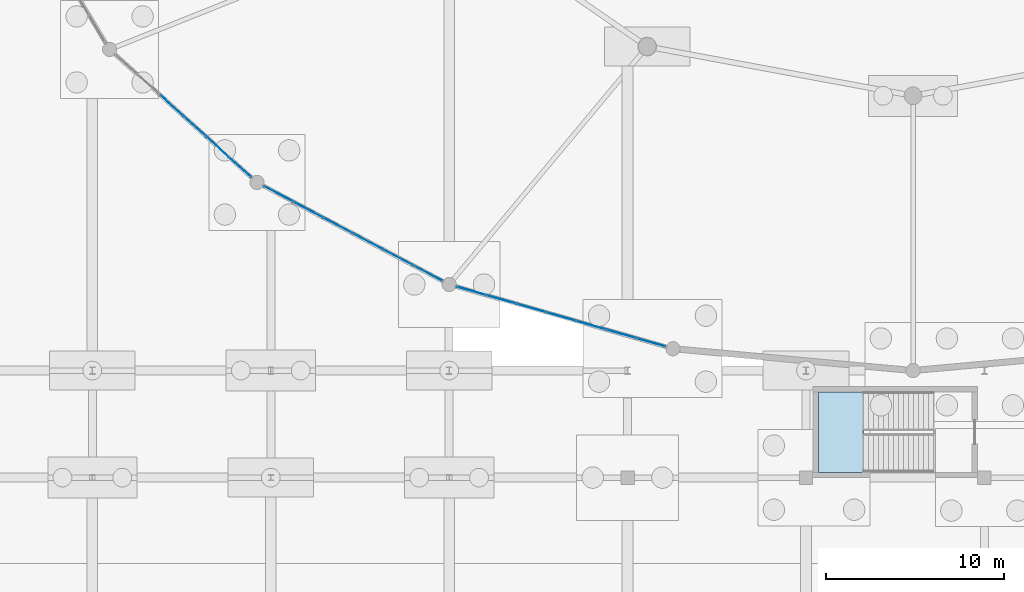
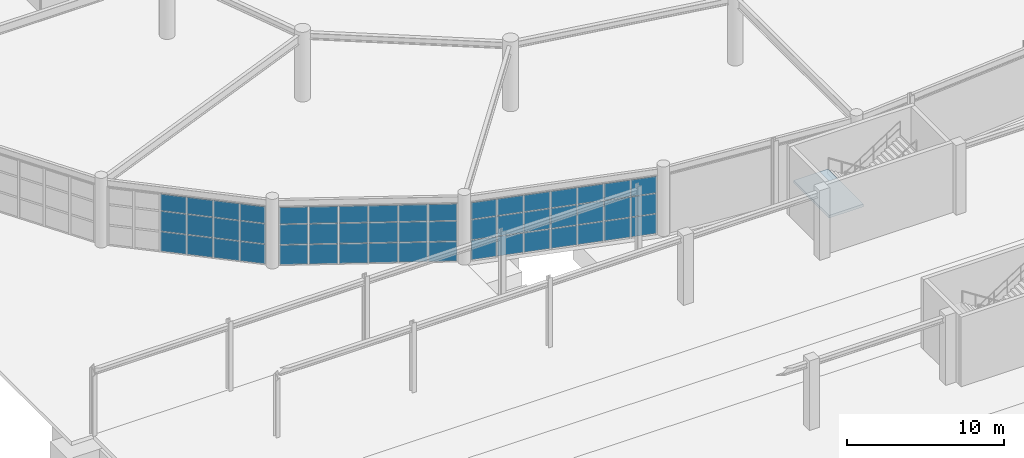
# One storey, part 64 of 99: 51 plates, 1 slab, 4 elements without a shape of their own.
"""IFC4 building model written with IfcOpenShell, lengths in metres."""

from ifc_helpers import new_model, si_unit, direction, frame, origin, origin_2d, place, context, subcontext, project, spatial, polyline, rectangle, outline, extrude, material, layer, layer_set, type_object, element, aggregate, save


model = new_model("IFC4")

# Units and contexts
model_context = context("Model", 3, precision=1e-05, world=origin(), true_north=direction((0.0, 1.0)))
body_context = subcontext(model_context, "Body", "Model", "MODEL_VIEW")
ifc_project = project(units=[si_unit("LENGTHUNIT", "METRE"), si_unit("AREAUNIT", "SQUARE_METRE"), si_unit("VOLUMEUNIT", "CUBIC_METRE"), si_unit("PLANEANGLEUNIT", "RADIAN"), si_unit("MASSUNIT", "GRAM", prefix="KILO")], contexts=[model_context])

# Site, building, storey
site_placement = place(None, origin())
site = spatial("IfcSite", under=ifc_project, at=site_placement, CompositionType="ELEMENT")
building_placement = place(site_placement, origin())
building = spatial("IfcBuilding", under=site, at=building_placement, Name="Kivolera Central Railway Station", CompositionType="ELEMENT")
storey_placement = place(building_placement, origin())
storey = spatial("IfcBuildingStorey", under=building, at=storey_placement, Name="L00", CompositionType="ELEMENT", Elevation=0.0)

# Curtain wall, plates
ifc_material_1 = material(Name="Anodised aluminium", Category="aluminium")
ifc_layer_1 = layer(ifc_material_1, 0.179931640625, Name="Anodised aluminium")
ifc_layer_set_1 = layer_set([ifc_layer_1], Name="Anodised aluminium")
curtain_wall_type_1 = type_object("IfcCurtainWallType", Name="CW-SYS-07", PredefinedType="NOTDEFINED", material=ifc_layer_set_1)
curtain_wall_1_placement = place(storey_placement, origin())
curtain_wall_1 = element("IfcCurtainWall", 1, at=curtain_wall_1_placement, inside=storey, type_object=curtain_wall_type_1, Name="L00 Curtain Wall CW-L00-OVL-15", PredefinedType="NOTDEFINED")
ifc_material_2 = material(Name="Double low-E laminated glass", Category="glass")
ifc_layer_2 = layer(ifc_material_2, 0.02587890625, Name="Double low-E laminated glass")
ifc_layer_set_2 = layer_set([ifc_layer_2], Name="Double low-E laminated glass")
plate_type_1 = type_object("IfcPlateType", Name="CWP-GLZ-1", PredefinedType="CURTAIN_PANEL", material=ifc_layer_set_2)
plate_1_placement = place(storey_placement, frame((36.79296875, 59.464599609375, 0.05810546875), z_axis=(0.0, 0.0, 1.0), x_axis=(-0.883170250772, 0.46905256438, 0.0)))
plate_1 = element("IfcPlate", 2, at=plate_1_placement, type_object=plate_type_1, Name="CW-07 panel 1.1", PredefinedType="CURTAIN_PANEL", context=body_context, shape_type="SweptSolid", body=[
    extrude(rectangle(XDim=1.818115234375, YDim=0.02587890625, at=origin_2d()), origin(), (0.0, 0.0, 1.0), 1.511474609375),
])
plate_2_placement = place(storey_placement, frame((36.79296875, 59.464599609375, 1.615478515625), z_axis=(0.0, 0.0, 1.0), x_axis=(-0.883170250772, 0.46905256438, 0.0)))
plate_2 = element("IfcPlate", 3, at=plate_2_placement, type_object=plate_type_1, Name="CW-07 panel 1.2", PredefinedType="CURTAIN_PANEL", context=body_context, shape_type="SweptSolid", body=[
    extrude(rectangle(XDim=1.818115234375, YDim=0.02587890625, at=origin_2d()), origin(), (0.0, 0.0, 1.0), 1.54638671875),
])
plate_3_placement = place(storey_placement, frame((36.79296875, 59.464599609375, 3.2080078125), z_axis=(0.0, 0.0, 1.0), x_axis=(-0.883170250772, 0.46905256438, 0.0)))
plate_3 = element("IfcPlate", 4, at=plate_3_placement, type_object=plate_type_1, Name="CW-07 panel 1.3", PredefinedType="CURTAIN_PANEL", context=body_context, shape_type="SweptSolid", body=[
    extrude(rectangle(XDim=1.818115234375, YDim=0.02587890625, at=origin_2d()), origin(), (0.0, 0.0, 1.0), 1.283935546875),
])
plate_4_placement = place(storey_placement, frame((35.131103515625, 60.34716796875, 0.05810546875), z_axis=(0.0, 0.0, 1.0), x_axis=(-0.883170250772, 0.46905256438, 0.0)))
plate_4 = element("IfcPlate", 5, at=plate_4_placement, type_object=plate_type_1, Name="CW-07 panel 2.1", PredefinedType="CURTAIN_PANEL", context=body_context, shape_type="SweptSolid", body=[
    extrude(rectangle(XDim=1.853271484375, YDim=0.02587890625, at=origin_2d()), origin(), (0.0, 0.0, 1.0), 1.511474609375),
])
plate_5_placement = place(storey_placement, frame((35.131103515625, 60.34716796875, 1.615478515625), z_axis=(0.0, 0.0, 1.0), x_axis=(-0.883170250772, 0.46905256438, 0.0)))
plate_5 = element("IfcPlate", 6, at=plate_5_placement, type_object=plate_type_1, Name="CW-07 panel 2.2", PredefinedType="CURTAIN_PANEL", context=body_context, shape_type="SweptSolid", body=[
    extrude(rectangle(XDim=1.853271484375, YDim=0.02587890625, at=origin_2d()), origin(), (0.0, 0.0, 1.0), 1.54638671875),
])
plate_6_placement = place(storey_placement, frame((35.131103515625, 60.34716796875, 3.2080078125), z_axis=(0.0, 0.0, 1.0), x_axis=(-0.883170250772, 0.46905256438, 0.0)))
plate_6 = element("IfcPlate", 7, at=plate_6_placement, type_object=plate_type_1, Name="CW-07 panel 2.3", PredefinedType="CURTAIN_PANEL", context=body_context, shape_type="SweptSolid", body=[
    extrude(rectangle(XDim=1.853271484375, YDim=0.02587890625, at=origin_2d()), origin(), (0.0, 0.0, 1.0), 1.283935546875),
])
plate_7_placement = place(storey_placement, frame((33.45361328125, 61.238037109375, 0.05810546875), z_axis=(0.0, 0.0, 1.0), x_axis=(-0.883170250772, 0.46905256438, 0.0)))
plate_7 = element("IfcPlate", 8, at=plate_7_placement, type_object=plate_type_1, Name="CW-07 panel 3.1", PredefinedType="CURTAIN_PANEL", context=body_context, shape_type="SweptSolid", body=[
    extrude(rectangle(XDim=1.853271484375, YDim=0.02587890625, at=origin_2d()), origin(), (0.0, 0.0, 1.0), 1.511474609375),
])
plate_8_placement = place(storey_placement, frame((33.45361328125, 61.238037109375, 1.615478515625), z_axis=(0.0, 0.0, 1.0), x_axis=(-0.883170250772, 0.46905256438, 0.0)))
plate_8 = element("IfcPlate", 9, at=plate_8_placement, type_object=plate_type_1, Name="CW-07 panel 3.2", PredefinedType="CURTAIN_PANEL", context=body_context, shape_type="SweptSolid", body=[
    extrude(rectangle(XDim=1.853271484375, YDim=0.02587890625, at=origin_2d()), origin(), (0.0, 0.0, 1.0), 1.54638671875),
])
plate_9_placement = place(storey_placement, frame((33.45361328125, 61.238037109375, 3.2080078125), z_axis=(0.0, 0.0, 1.0), x_axis=(-0.883170250772, 0.46905256438, 0.0)))
plate_9 = element("IfcPlate", 10, at=plate_9_placement, type_object=plate_type_1, Name="CW-07 panel 3.3", PredefinedType="CURTAIN_PANEL", context=body_context, shape_type="SweptSolid", body=[
    extrude(rectangle(XDim=1.853271484375, YDim=0.02587890625, at=origin_2d()), origin(), (0.0, 0.0, 1.0), 1.283935546875),
])
plate_10_placement = place(storey_placement, frame((31.7763671875, 62.12890625, 0.05810546875), z_axis=(0.0, 0.0, 1.0), x_axis=(-0.883170250772, 0.46905256438, 0.0)))
plate_10 = element("IfcPlate", 11, at=plate_10_placement, type_object=plate_type_1, Name="CW-07 panel 4.1", PredefinedType="CURTAIN_PANEL", context=body_context, shape_type="SweptSolid", body=[
    extrude(rectangle(XDim=1.853271484375, YDim=0.02587890625, at=origin_2d()), origin(), (0.0, 0.0, 1.0), 1.511474609375),
])
plate_11_placement = place(storey_placement, frame((31.7763671875, 62.12890625, 1.615478515625), z_axis=(0.0, 0.0, 1.0), x_axis=(-0.883170250772, 0.46905256438, 0.0)))
plate_11 = element("IfcPlate", 12, at=plate_11_placement, type_object=plate_type_1, Name="CW-07 panel 4.2", PredefinedType="CURTAIN_PANEL", context=body_context, shape_type="SweptSolid", body=[
    extrude(rectangle(XDim=1.853271484375, YDim=0.02587890625, at=origin_2d()), origin(), (0.0, 0.0, 1.0), 1.54638671875),
])
plate_12_placement = place(storey_placement, frame((31.7763671875, 62.12890625, 3.2080078125), z_axis=(0.0, 0.0, 1.0), x_axis=(-0.883170250772, 0.46905256438, 0.0)))
plate_12 = element("IfcPlate", 13, at=plate_12_placement, type_object=plate_type_1, Name="CW-07 panel 4.3", PredefinedType="CURTAIN_PANEL", context=body_context, shape_type="SweptSolid", body=[
    extrude(rectangle(XDim=1.853271484375, YDim=0.02587890625, at=origin_2d()), origin(), (0.0, 0.0, 1.0), 1.283935546875),
])
plate_13_placement = place(storey_placement, frame((30.09912109375, 63.019775390625, 0.05810546875), z_axis=(0.0, 0.0, 1.0), x_axis=(-0.883170250772, 0.46905256438, 0.0)))
plate_13 = element("IfcPlate", 14, at=plate_13_placement, type_object=plate_type_1, Name="CW-07 panel 5.1", PredefinedType="CURTAIN_PANEL", context=body_context, shape_type="SweptSolid", body=[
    extrude(rectangle(XDim=1.853271484375, YDim=0.02587890625, at=origin_2d()), origin(), (0.0, 0.0, 1.0), 1.511474609375),
])
plate_14_placement = place(storey_placement, frame((30.09912109375, 63.019775390625, 1.615478515625), z_axis=(0.0, 0.0, 1.0), x_axis=(-0.883170250772, 0.46905256438, 0.0)))
plate_14 = element("IfcPlate", 15, at=plate_14_placement, type_object=plate_type_1, Name="CW-07 panel 5.2", PredefinedType="CURTAIN_PANEL", context=body_context, shape_type="SweptSolid", body=[
    extrude(rectangle(XDim=1.853271484375, YDim=0.02587890625, at=origin_2d()), origin(), (0.0, 0.0, 1.0), 1.54638671875),
])
plate_15_placement = place(storey_placement, frame((30.09912109375, 63.019775390625, 3.2080078125), z_axis=(0.0, 0.0, 1.0), x_axis=(-0.883170250772, 0.46905256438, 0.0)))
plate_15 = element("IfcPlate", 16, at=plate_15_placement, type_object=plate_type_1, Name="CW-07 panel 5.3", PredefinedType="CURTAIN_PANEL", context=body_context, shape_type="SweptSolid", body=[
    extrude(rectangle(XDim=1.853271484375, YDim=0.02587890625, at=origin_2d()), origin(), (0.0, 0.0, 1.0), 1.283935546875),
])
plate_16_placement = place(storey_placement, frame((28.43701171875, 63.90234375, 0.05810546875), z_axis=(0.0, 0.0, 1.0), x_axis=(-0.883170250772, 0.46905256438, 0.0)))
plate_16 = element("IfcPlate", 17, at=plate_16_placement, type_object=plate_type_1, Name="CW-07 panel 6.1", PredefinedType="CURTAIN_PANEL", context=body_context, shape_type="SweptSolid", body=[
    extrude(rectangle(XDim=1.818115234375, YDim=0.02587890625, at=origin_2d()), origin(), (0.0, 0.0, 1.0), 1.511474609375),
])
plate_17_placement = place(storey_placement, frame((28.43701171875, 63.90234375, 1.615478515625), z_axis=(0.0, 0.0, 1.0), x_axis=(-0.883170250772, 0.46905256438, 0.0)))
plate_17 = element("IfcPlate", 18, at=plate_17_placement, type_object=plate_type_1, Name="CW-07 panel 6.2", PredefinedType="CURTAIN_PANEL", context=body_context, shape_type="SweptSolid", body=[
    extrude(rectangle(XDim=1.818115234375, YDim=0.02587890625, at=origin_2d()), origin(), (0.0, 0.0, 1.0), 1.54638671875),
])
plate_18_placement = place(storey_placement, frame((28.43701171875, 63.90234375, 3.2080078125), z_axis=(0.0, 0.0, 1.0), x_axis=(-0.883170250772, 0.46905256438, 0.0)))
plate_18 = element("IfcPlate", 19, at=plate_18_placement, type_object=plate_type_1, Name="CW-07 panel 6.3", PredefinedType="CURTAIN_PANEL", context=body_context, shape_type="SweptSolid", body=[
    extrude(rectangle(XDim=1.818115234375, YDim=0.02587890625, at=origin_2d()), origin(), (0.0, 0.0, 1.0), 1.283935546875),
])
aggregate(curtain_wall_1, [plate_1, plate_2, plate_3, plate_4, plate_5, plate_6, plate_7, plate_8, plate_9, plate_10, plate_11, plate_12, plate_13, plate_14, plate_15, plate_16, plate_17, plate_18])

ifc_layer_3 = layer(ifc_material_1, 0.179931640625, Name="Anodised aluminium")
ifc_layer_set_3 = layer_set([ifc_layer_3], Name="Anodised aluminium")
curtain_wall_type_2 = type_object("IfcCurtainWallType", Name="CW-SYS-16", PredefinedType="NOTDEFINED", material=ifc_layer_set_3)
curtain_wall_2_placement = place(storey_placement, origin())
curtain_wall_2 = element("IfcCurtainWall", 20, at=curtain_wall_2_placement, inside=storey, type_object=curtain_wall_type_2, Name="L00 Curtain Wall CW-L00-OVL-16", PredefinedType="NOTDEFINED")
ifc_layer_4 = layer(ifc_material_2, 0.030029296875, Name="Double low-E laminated glass")
ifc_layer_set_4 = layer_set([ifc_layer_4], Name="Double low-E laminated glass")
plate_type_2 = type_object("IfcPlateType", Name="CWP-GLZ-2", PredefinedType="CURTAIN_PANEL", material=ifc_layer_set_4)
plate_19_placement = place(storey_placement, frame((49.29833984375, 55.5830078125, 0.05810546875), z_axis=(0.0, 0.0, 1.0), x_axis=(-0.961246112288, 0.275691696668, 0.0)))
plate_19 = element("IfcPlate", 21, at=plate_19_placement, type_object=plate_type_2, Name="CW-16 panel 1.1", PredefinedType="CURTAIN_PANEL", context=body_context, shape_type="SweptSolid", body=[
    extrude(rectangle(XDim=1.66845703125, YDim=0.030029296875, at=origin_2d()), origin(), (0.0, 0.0, 1.0), 1.511474609375),
])
plate_20_placement = place(storey_placement, frame((49.29833984375, 55.5830078125, 1.615478515625), z_axis=(0.0, 0.0, 1.0), x_axis=(-0.961246112288, 0.275691696668, 0.0)))
plate_20 = element("IfcPlate", 22, at=plate_20_placement, type_object=plate_type_2, Name="CW-16 panel 1.2", PredefinedType="CURTAIN_PANEL", context=body_context, shape_type="SweptSolid", body=[
    extrude(rectangle(XDim=1.66845703125, YDim=0.030029296875, at=origin_2d()), origin(), (0.0, 0.0, 1.0), 1.54638671875),
])
plate_21_placement = place(storey_placement, frame((49.29833984375, 55.5830078125, 3.2080078125), z_axis=(0.0, 0.0, 1.0), x_axis=(-0.961246112288, 0.275691696668, 0.0)))
plate_21 = element("IfcPlate", 23, at=plate_21_placement, type_object=plate_type_2, Name="CW-16 panel 1.3", PredefinedType="CURTAIN_PANEL", context=body_context, shape_type="SweptSolid", body=[
    extrude(rectangle(XDim=1.66845703125, YDim=0.030029296875, at=origin_2d()), origin(), (0.0, 0.0, 1.0), 1.283935546875),
])
plate_22_placement = place(storey_placement, frame((47.633544921875, 56.060546875, 0.05810546875), z_axis=(0.0, 0.0, 1.0), x_axis=(-0.961246112288, 0.275691696668, 0.0)))
plate_22 = element("IfcPlate", 24, at=plate_22_placement, type_object=plate_type_2, Name="CW-16 panel 2.1", PredefinedType="CURTAIN_PANEL", context=body_context, shape_type="SweptSolid", body=[
    extrude(rectangle(XDim=1.703369140625, YDim=0.030029296875, at=origin_2d()), origin(), (0.0, 0.0, 1.0), 1.511474609375),
])
plate_23_placement = place(storey_placement, frame((47.633544921875, 56.060546875, 1.615478515625), z_axis=(0.0, 0.0, 1.0), x_axis=(-0.961246112288, 0.275691696668, 0.0)))
plate_23 = element("IfcPlate", 25, at=plate_23_placement, type_object=plate_type_2, Name="CW-16 panel 2.2", PredefinedType="CURTAIN_PANEL", context=body_context, shape_type="SweptSolid", body=[
    extrude(rectangle(XDim=1.703369140625, YDim=0.030029296875, at=origin_2d()), origin(), (0.0, 0.0, 1.0), 1.54638671875),
])
plate_24_placement = place(storey_placement, frame((47.633544921875, 56.060546875, 3.2080078125), z_axis=(0.0, 0.0, 1.0), x_axis=(-0.961246112288, 0.275691696668, 0.0)))
plate_24 = element("IfcPlate", 26, at=plate_24_placement, type_object=plate_type_2, Name="CW-16 panel 2.3", PredefinedType="CURTAIN_PANEL", context=body_context, shape_type="SweptSolid", body=[
    extrude(rectangle(XDim=1.703369140625, YDim=0.030029296875, at=origin_2d()), origin(), (0.0, 0.0, 1.0), 1.283935546875),
])
plate_25_placement = place(storey_placement, frame((45.9521484375, 56.542724609375, 0.05810546875), z_axis=(0.0, 0.0, 1.0), x_axis=(-0.961246112288, 0.275691696668, 0.0)))
plate_25 = element("IfcPlate", 27, at=plate_25_placement, type_object=plate_type_2, Name="CW-16 panel 3.1", PredefinedType="CURTAIN_PANEL", context=body_context, shape_type="SweptSolid", body=[
    extrude(rectangle(XDim=1.703369140625, YDim=0.030029296875, at=origin_2d()), origin(), (0.0, 0.0, 1.0), 1.511474609375),
])
plate_26_placement = place(storey_placement, frame((45.9521484375, 56.542724609375, 1.615478515625), z_axis=(0.0, 0.0, 1.0), x_axis=(-0.961246112288, 0.275691696668, 0.0)))
plate_26 = element("IfcPlate", 28, at=plate_26_placement, type_object=plate_type_2, Name="CW-16 panel 3.2", PredefinedType="CURTAIN_PANEL", context=body_context, shape_type="SweptSolid", body=[
    extrude(rectangle(XDim=1.703369140625, YDim=0.030029296875, at=origin_2d()), origin(), (0.0, 0.0, 1.0), 1.54638671875),
])
plate_27_placement = place(storey_placement, frame((45.9521484375, 56.542724609375, 3.2080078125), z_axis=(0.0, 0.0, 1.0), x_axis=(-0.961246112288, 0.275691696668, 0.0)))
plate_27 = element("IfcPlate", 29, at=plate_27_placement, type_object=plate_type_2, Name="CW-16 panel 3.3", PredefinedType="CURTAIN_PANEL", context=body_context, shape_type="SweptSolid", body=[
    extrude(rectangle(XDim=1.703369140625, YDim=0.030029296875, at=origin_2d()), origin(), (0.0, 0.0, 1.0), 1.283935546875),
])
plate_28_placement = place(storey_placement, frame((44.2705078125, 57.02490234375, 0.05810546875), z_axis=(0.0, 0.0, 1.0), x_axis=(-0.961246112288, 0.275691696668, 0.0)))
plate_28 = element("IfcPlate", 30, at=plate_28_placement, type_object=plate_type_2, Name="CW-16 panel 4.1", PredefinedType="CURTAIN_PANEL", context=body_context, shape_type="SweptSolid", body=[
    extrude(rectangle(XDim=1.703369140625, YDim=0.030029296875, at=origin_2d()), origin(), (0.0, 0.0, 1.0), 1.511474609375),
])
plate_29_placement = place(storey_placement, frame((44.2705078125, 57.02490234375, 1.615478515625), z_axis=(0.0, 0.0, 1.0), x_axis=(-0.961246112288, 0.275691696668, 0.0)))
plate_29 = element("IfcPlate", 31, at=plate_29_placement, type_object=plate_type_2, Name="CW-16 panel 4.2", PredefinedType="CURTAIN_PANEL", context=body_context, shape_type="SweptSolid", body=[
    extrude(rectangle(XDim=1.703369140625, YDim=0.030029296875, at=origin_2d()), origin(), (0.0, 0.0, 1.0), 1.54638671875),
])
plate_30_placement = place(storey_placement, frame((44.2705078125, 57.02490234375, 3.2080078125), z_axis=(0.0, 0.0, 1.0), x_axis=(-0.961246112288, 0.275691696668, 0.0)))
plate_30 = element("IfcPlate", 32, at=plate_30_placement, type_object=plate_type_2, Name="CW-16 panel 4.3", PredefinedType="CURTAIN_PANEL", context=body_context, shape_type="SweptSolid", body=[
    extrude(rectangle(XDim=1.703369140625, YDim=0.030029296875, at=origin_2d()), origin(), (0.0, 0.0, 1.0), 1.283935546875),
])
plate_31_placement = place(storey_placement, frame((42.5888671875, 57.50732421875, 0.05810546875), z_axis=(0.0, 0.0, 1.0), x_axis=(-0.961246112288, 0.275691696668, 0.0)))
plate_31 = element("IfcPlate", 33, at=plate_31_placement, type_object=plate_type_2, Name="CW-16 panel 5.1", PredefinedType="CURTAIN_PANEL", context=body_context, shape_type="SweptSolid", body=[
    extrude(rectangle(XDim=1.703369140625, YDim=0.030029296875, at=origin_2d()), origin(), (0.0, 0.0, 1.0), 1.511474609375),
])
plate_32_placement = place(storey_placement, frame((42.5888671875, 57.50732421875, 1.615478515625), z_axis=(0.0, 0.0, 1.0), x_axis=(-0.961246112288, 0.275691696668, 0.0)))
plate_32 = element("IfcPlate", 34, at=plate_32_placement, type_object=plate_type_2, Name="CW-16 panel 5.2", PredefinedType="CURTAIN_PANEL", context=body_context, shape_type="SweptSolid", body=[
    extrude(rectangle(XDim=1.703369140625, YDim=0.030029296875, at=origin_2d()), origin(), (0.0, 0.0, 1.0), 1.54638671875),
])
plate_33_placement = place(storey_placement, frame((42.5888671875, 57.50732421875, 3.2080078125), z_axis=(0.0, 0.0, 1.0), x_axis=(-0.961246112288, 0.275691696668, 0.0)))
plate_33 = element("IfcPlate", 35, at=plate_33_placement, type_object=plate_type_2, Name="CW-16 panel 5.3", PredefinedType="CURTAIN_PANEL", context=body_context, shape_type="SweptSolid", body=[
    extrude(rectangle(XDim=1.703369140625, YDim=0.030029296875, at=origin_2d()), origin(), (0.0, 0.0, 1.0), 1.283935546875),
])
plate_34_placement = place(storey_placement, frame((40.907470703125, 57.989501953125, 0.05810546875), z_axis=(0.0, 0.0, 1.0), x_axis=(-0.961246112288, 0.275691696668, 0.0)))
plate_34 = element("IfcPlate", 36, at=plate_34_placement, type_object=plate_type_2, Name="CW-16 panel 6.1", PredefinedType="CURTAIN_PANEL", context=body_context, shape_type="SweptSolid", body=[
    extrude(rectangle(XDim=1.703369140625, YDim=0.030029296875, at=origin_2d()), origin(), (0.0, 0.0, 1.0), 1.511474609375),
])
plate_35_placement = place(storey_placement, frame((40.907470703125, 57.989501953125, 1.615478515625), z_axis=(0.0, 0.0, 1.0), x_axis=(-0.961246112288, 0.275691696668, 0.0)))
plate_35 = element("IfcPlate", 37, at=plate_35_placement, type_object=plate_type_2, Name="CW-16 panel 6.2", PredefinedType="CURTAIN_PANEL", context=body_context, shape_type="SweptSolid", body=[
    extrude(rectangle(XDim=1.703369140625, YDim=0.030029296875, at=origin_2d()), origin(), (0.0, 0.0, 1.0), 1.54638671875),
])
plate_36_placement = place(storey_placement, frame((40.907470703125, 57.989501953125, 3.2080078125), z_axis=(0.0, 0.0, 1.0), x_axis=(-0.961246112288, 0.275691696668, 0.0)))
plate_36 = element("IfcPlate", 38, at=plate_36_placement, type_object=plate_type_2, Name="CW-16 panel 6.3", PredefinedType="CURTAIN_PANEL", context=body_context, shape_type="SweptSolid", body=[
    extrude(rectangle(XDim=1.703369140625, YDim=0.030029296875, at=origin_2d()), origin(), (0.0, 0.0, 1.0), 1.283935546875),
])
plate_37_placement = place(storey_placement, frame((39.24267578125, 58.467041015625, 0.05810546875), z_axis=(0.0, 0.0, 1.0), x_axis=(-0.961246112288, 0.275691696668, 0.0)))
plate_37 = element("IfcPlate", 39, at=plate_37_placement, type_object=plate_type_2, Name="CW-16 panel 7.1", PredefinedType="CURTAIN_PANEL", context=body_context, shape_type="SweptSolid", body=[
    extrude(rectangle(XDim=1.66845703125, YDim=0.030029296875, at=origin_2d()), origin(), (0.0, 0.0, 1.0), 1.511474609375),
])
plate_38_placement = place(storey_placement, frame((39.24267578125, 58.467041015625, 1.615478515625), z_axis=(0.0, 0.0, 1.0), x_axis=(-0.961246112288, 0.275691696668, 0.0)))
plate_38 = element("IfcPlate", 40, at=plate_38_placement, type_object=plate_type_2, Name="CW-16 panel 7.2", PredefinedType="CURTAIN_PANEL", context=body_context, shape_type="SweptSolid", body=[
    extrude(rectangle(XDim=1.66845703125, YDim=0.030029296875, at=origin_2d()), origin(), (0.0, 0.0, 1.0), 1.54638671875),
])
plate_39_placement = place(storey_placement, frame((39.24267578125, 58.467041015625, 3.2080078125), z_axis=(0.0, 0.0, 1.0), x_axis=(-0.961246112288, 0.275691696668, 0.0)))
plate_39 = element("IfcPlate", 41, at=plate_39_placement, type_object=plate_type_2, Name="CW-16 panel 7.3", PredefinedType="CURTAIN_PANEL", context=body_context, shape_type="SweptSolid", body=[
    extrude(rectangle(XDim=1.66845703125, YDim=0.030029296875, at=origin_2d()), origin(), (0.0, 0.0, 1.0), 1.283935546875),
])
aggregate(curtain_wall_2, [plate_19, plate_20, plate_21, plate_22, plate_23, plate_24, plate_25, plate_26, plate_27, plate_28, plate_29, plate_30, plate_31, plate_32, plate_33, plate_34, plate_35, plate_36, plate_37, plate_38, plate_39])

ifc_layer_5 = layer(ifc_material_1, 0.179931640625, Name="Anodised aluminium")
ifc_layer_set_5 = layer_set([ifc_layer_5], Name="Anodised aluminium")
curtain_wall_type_3 = type_object("IfcCurtainWallType", Name="CW-SYS-04", PredefinedType="NOTDEFINED", material=ifc_layer_set_5)
curtain_wall_3_placement = place(storey_placement, origin())
curtain_wall_3 = element("IfcCurtainWall", 42, at=curtain_wall_3_placement, inside=storey, type_object=curtain_wall_type_3, Name="L00 Curtain Wall CW-L00-OVL-14", PredefinedType="NOTDEFINED")
ifc_layer_6 = layer(ifc_material_2, 0.0419921875, Name="Double low-E laminated glass")
ifc_layer_set_6 = layer_set([ifc_layer_6], Name="Double low-E laminated glass")
plate_type_3 = type_object("IfcPlateType", Name="CWP-GLZ-5", PredefinedType="CURTAIN_PANEL", material=ifc_layer_set_6)
plate_40_placement = place(storey_placement, frame((26.281005859375, 65.400390625, 0.05810546875), z_axis=(0.0, 0.0, 1.0), x_axis=(-0.742431873669, 0.669921572246, 0.0)))
plate_40 = element("IfcPlate", 43, at=plate_40_placement, type_object=plate_type_3, Name="CW-04 panel 1.1", PredefinedType="CURTAIN_PANEL", context=body_context, shape_type="SweptSolid", body=[
    extrude(rectangle(XDim=1.640625, YDim=0.0419921875, at=origin_2d()), origin(), (0.0, 0.0, 1.0), 1.511474609375),
])
plate_41_placement = place(storey_placement, frame((26.281005859375, 65.400390625, 1.615478515625), z_axis=(0.0, 0.0, 1.0), x_axis=(-0.742431873669, 0.669921572246, 0.0)))
plate_41 = element("IfcPlate", 44, at=plate_41_placement, type_object=plate_type_3, Name="CW-04 panel 1.2", PredefinedType="CURTAIN_PANEL", context=body_context, shape_type="SweptSolid", body=[
    extrude(rectangle(XDim=1.640625, YDim=0.0419921875, at=origin_2d()), origin(), (0.0, 0.0, 1.0), 1.54638671875),
])
plate_42_placement = place(storey_placement, frame((26.281005859375, 65.400390625, 3.2080078125), z_axis=(0.0, 0.0, 1.0), x_axis=(-0.742431873669, 0.669921572246, 0.0)))
plate_42 = element("IfcPlate", 45, at=plate_42_placement, type_object=plate_type_3, Name="CW-04 panel 1.3", PredefinedType="CURTAIN_PANEL", context=body_context, shape_type="SweptSolid", body=[
    extrude(rectangle(XDim=1.640625, YDim=0.0419921875, at=origin_2d()), origin(), (0.0, 0.0, 1.0), 1.283935546875),
])
plate_43_placement = place(storey_placement, frame((25.015869140625, 66.5419921875, 0.05810546875), z_axis=(0.0, 0.0, 1.0), x_axis=(-0.742431873669, 0.669921572246, 0.0)))
plate_43 = element("IfcPlate", 46, at=plate_43_placement, type_object=plate_type_3, Name="CW-04 panel 2.1", PredefinedType="CURTAIN_PANEL", context=body_context, shape_type="SweptSolid", body=[
    extrude(rectangle(XDim=1.675537109375, YDim=0.0419921875, at=origin_2d()), origin(), (0.0, 0.0, 1.0), 1.511474609375),
])
plate_44_placement = place(storey_placement, frame((25.015869140625, 66.5419921875, 1.615478515625), z_axis=(0.0, 0.0, 1.0), x_axis=(-0.742431873669, 0.669921572246, 0.0)))
plate_44 = element("IfcPlate", 47, at=plate_44_placement, type_object=plate_type_3, Name="CW-04 panel 2.2", PredefinedType="CURTAIN_PANEL", context=body_context, shape_type="SweptSolid", body=[
    extrude(rectangle(XDim=1.675537109375, YDim=0.0419921875, at=origin_2d()), origin(), (0.0, 0.0, 1.0), 1.54638671875),
])
plate_45_placement = place(storey_placement, frame((25.015869140625, 66.5419921875, 3.2080078125), z_axis=(0.0, 0.0, 1.0), x_axis=(-0.742431873669, 0.669921572246, 0.0)))
plate_45 = element("IfcPlate", 48, at=plate_45_placement, type_object=plate_type_3, Name="CW-04 panel 2.3", PredefinedType="CURTAIN_PANEL", context=body_context, shape_type="SweptSolid", body=[
    extrude(rectangle(XDim=1.675537109375, YDim=0.0419921875, at=origin_2d()), origin(), (0.0, 0.0, 1.0), 1.283935546875),
])
plate_46_placement = place(storey_placement, frame((23.737548828125, 67.6953125, 0.05810546875), z_axis=(0.0, 0.0, 1.0), x_axis=(-0.742431873669, 0.669921572246, 0.0)))
plate_46 = element("IfcPlate", 49, at=plate_46_placement, type_object=plate_type_3, Name="CW-04 panel 3.1", PredefinedType="CURTAIN_PANEL", context=body_context, shape_type="SweptSolid", body=[
    extrude(rectangle(XDim=1.675537109375, YDim=0.0419921875, at=origin_2d()), origin(), (0.0, 0.0, 1.0), 1.511474609375),
])
plate_47_placement = place(storey_placement, frame((23.737548828125, 67.6953125, 1.615478515625), z_axis=(0.0, 0.0, 1.0), x_axis=(-0.742431873669, 0.669921572246, 0.0)))
plate_47 = element("IfcPlate", 50, at=plate_47_placement, type_object=plate_type_3, Name="CW-04 panel 3.2", PredefinedType="CURTAIN_PANEL", context=body_context, shape_type="SweptSolid", body=[
    extrude(rectangle(XDim=1.675537109375, YDim=0.0419921875, at=origin_2d()), origin(), (0.0, 0.0, 1.0), 1.54638671875),
])
plate_48_placement = place(storey_placement, frame((23.737548828125, 67.6953125, 3.2080078125), z_axis=(0.0, 0.0, 1.0), x_axis=(-0.742431873669, 0.669921572246, 0.0)))
plate_48 = element("IfcPlate", 51, at=plate_48_placement, type_object=plate_type_3, Name="CW-04 panel 3.3", PredefinedType="CURTAIN_PANEL", context=body_context, shape_type="SweptSolid", body=[
    extrude(rectangle(XDim=1.675537109375, YDim=0.0419921875, at=origin_2d()), origin(), (0.0, 0.0, 1.0), 1.283935546875),
])
plate_49_placement = place(storey_placement, frame((22.45947265625, 68.8486328125, 0.05810546875), z_axis=(0.0, 0.0, 1.0), x_axis=(-0.742431873669, 0.669921572246, 0.0)))
plate_49 = element("IfcPlate", 52, at=plate_49_placement, type_object=plate_type_3, Name="CW-04 panel 4.1", PredefinedType="CURTAIN_PANEL", context=body_context, shape_type="SweptSolid", body=[
    extrude(rectangle(XDim=1.675537109375, YDim=0.0419921875, at=origin_2d()), origin(), (0.0, 0.0, 1.0), 1.511474609375),
])
plate_50_placement = place(storey_placement, frame((22.45947265625, 68.8486328125, 1.615478515625), z_axis=(0.0, 0.0, 1.0), x_axis=(-0.742431873669, 0.669921572246, 0.0)))
plate_50 = element("IfcPlate", 53, at=plate_50_placement, type_object=plate_type_3, Name="CW-04 panel 4.2", PredefinedType="CURTAIN_PANEL", context=body_context, shape_type="SweptSolid", body=[
    extrude(rectangle(XDim=1.675537109375, YDim=0.0419921875, at=origin_2d()), origin(), (0.0, 0.0, 1.0), 1.54638671875),
])
plate_51_placement = place(storey_placement, frame((22.45947265625, 68.8486328125, 3.2080078125), z_axis=(0.0, 0.0, 1.0), x_axis=(-0.742431873669, 0.669921572246, 0.0)))
plate_51 = element("IfcPlate", 54, at=plate_51_placement, type_object=plate_type_3, Name="CW-04 panel 4.3", PredefinedType="CURTAIN_PANEL", context=body_context, shape_type="SweptSolid", body=[
    extrude(rectangle(XDim=1.675537109375, YDim=0.0419921875, at=origin_2d()), origin(), (0.0, 0.0, 1.0), 1.283935546875),
])
aggregate(curtain_wall_3, [plate_40, plate_41, plate_42, plate_43, plate_44, plate_45, plate_46, plate_47, plate_48, plate_49, plate_50, plate_51])

# Stair, slab
ifc_material_3 = material(Name="Concrete C40/50", Category="concrete")
stair_type = type_object("IfcStairType", Name="STR-2160-30", PredefinedType="HALF_TURN_STAIR", material=ifc_material_3)
stair_placement = place(storey_placement, origin())
stair = element("IfcStair", 55, at=stair_placement, inside=storey, type_object=stair_type, Name="L00 Platform 3 Interchange Exit Stair ST8", PredefinedType="HALF_TURN_STAIR")
ifc_layer_7 = layer(ifc_material_3, 0.199951171875, Name="Concrete C40/50")
ifc_layer_set_7 = layer_set([ifc_layer_7], Name="Concrete C40/50")
slab_type = type_object("IfcSlabType", Name="SLB-LND-200", PredefinedType="LANDING", material=ifc_layer_set_7)
slab_placement = place(storey_placement, frame((0.0, 0.0, 2.5)))
slab = element("IfcSlab", 56, at=slab_placement, type_object=slab_type, Name="ST8 landing 1", PredefinedType="LANDING", context=body_context, shape_type="SweptSolid", body=[
    extrude(outline(polyline([(61.219970703125, 52.800048828125), (58.699951171875, 52.800048828125), (58.699951171875, 48.300048828125), (61.219970703125, 48.300048828125), (61.219970703125, 52.800048828125)])), origin(), (0.0, 0.0, 1.0), 0.199951171875),
])
aggregate(stair, [slab])

save(model, "model.ifc")
